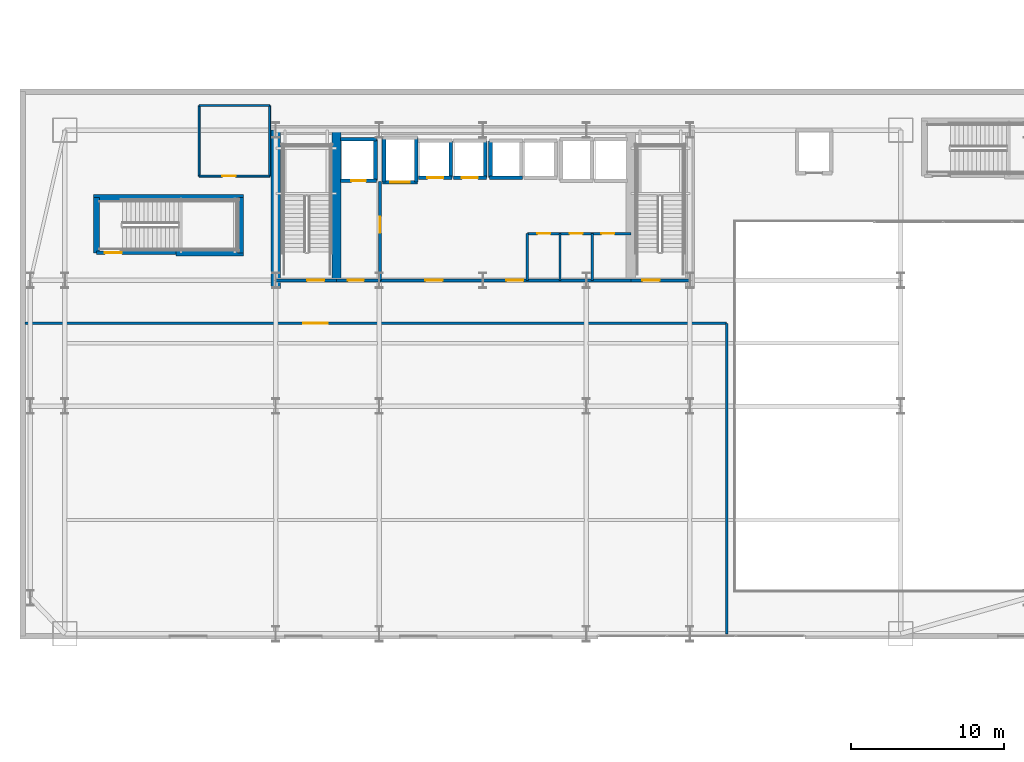
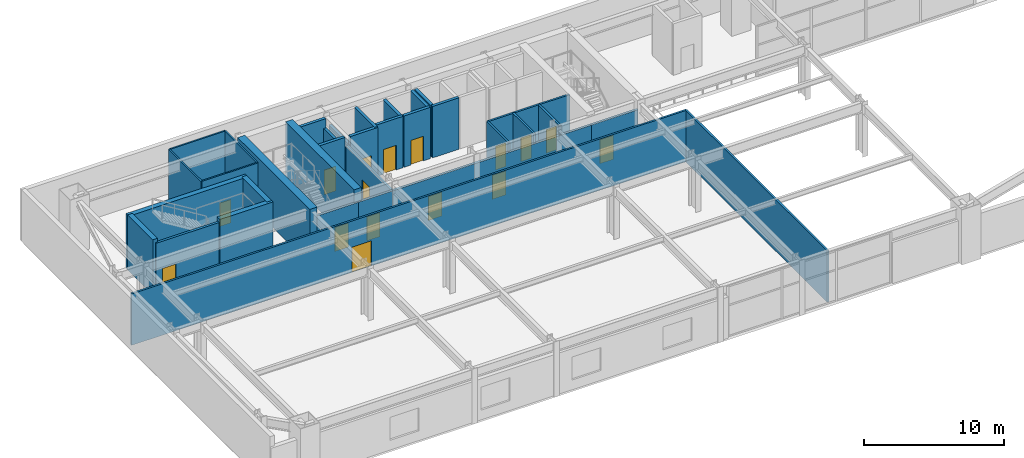
# One storey, part 17 of 30: 34 walls, 16 doors, 16 openings.
"""IFC4 building model written with IfcOpenShell, lengths in metres."""

from ifc_helpers import new_model, si_unit, direction, frame, frame_2d, origin, place, context, subcontext, project, spatial, rectangle, extrude, material, layer, layer_set, type_object, element, fill, save


model = new_model("IFC4")

# Units and contexts
model_context = context("Model", 3, precision=1e-05, world=origin(), true_north=direction((0.0, 1.0)))
body_context = subcontext(model_context, "Body", "Model", "MODEL_VIEW")
ifc_project = project(units=[si_unit("LENGTHUNIT", "METRE"), si_unit("AREAUNIT", "SQUARE_METRE"), si_unit("VOLUMEUNIT", "CUBIC_METRE"), si_unit("PLANEANGLEUNIT", "RADIAN"), si_unit("MASSUNIT", "GRAM", prefix="KILO")], contexts=[model_context])

# Site, building, storey
site_placement = place(None, origin())
site = spatial("IfcSite", under=ifc_project, at=site_placement, CompositionType="ELEMENT")
building_placement = place(site_placement, origin())
building = spatial("IfcBuilding", under=site, at=building_placement, Name="Haevon Station Towers", CompositionType="ELEMENT")
storey_placement = place(building_placement, frame((0.0, 0.0, 15.60009765625)))
storey = spatial("IfcBuildingStorey", under=building, at=storey_placement, Name="L03", CompositionType="ELEMENT", Elevation=15.60009765625)

# Wall, opening, door
ifc_material_1 = material(Name="Gypsum board on steel stud", Category="steel")
ifc_layer_1 = layer(ifc_material_1, 0.199951171875)
ifc_layer_set_1 = layer_set([ifc_layer_1], Name="Gypsum board on steel stud")
wall_type_1 = type_object("IfcWallType", Name="WL-COR200", PredefinedType="PARTITIONING", material=ifc_layer_set_1)
wall_1_placement = place(storey_placement, frame((24.0, 38.199951171875, 0.0), z_axis=(0.0, 0.0, 1.0), x_axis=(1.0, 0.0, 0.0)))
wall_1 = element("IfcWall", 1, at=wall_1_placement, inside=storey, type_object=wall_type_1, Name="WL-ST-ST1-L03", PredefinedType="PARTITIONING", context=body_context, shape_type="SweptSolid", body=[
    extrude(rectangle(XDim=3.949951171875, YDim=0.199951171875, at=frame_2d((1.97509765625, 0.0))), origin(), (0.0, 0.0, 1.0), 3.679931640625),
])
opening_1_placement = place(wall_1_placement, frame((2.050048828125, 0.0, 0.0)))
opening_1 = element("IfcOpeningElement", 2, at=opening_1_placement, cuts=wall_1, Name="Opening DR-ST-ST1-L03", PredefinedType="OPENING", context=body_context, shape_type="SweptSolid", body=[
    extrude(rectangle(XDim=1.1201171875, YDim=2.10009765625, at=frame_2d((0.56005859375, 1.050048828125))), frame((0.0, 0.10986328125, 0.0), z_axis=(0.0, -1.0, 0.0), x_axis=(1.0, 0.0, 0.0)), (0.0, 0.0, 1.0), 0.219970703125),
])
ifc_material_2 = material(Name="Engineered oak timber", Category="wood")
door_type_1 = type_object("IfcDoorType", Name="DR-ST-1120", OperationType="NOTDEFINED", PredefinedType="DOOR", material=ifc_material_2)
door_1_placement = place(opening_1_placement, origin())
door_1 = element("IfcDoor", 3, at=door_1_placement, inside=storey, type_object=door_type_1, Name="L03 Escape Stair ST1 Fire Door", OperationType="SINGLE_SWING_LEFT", OverallHeight=2.10009765625, OverallWidth=1.1201171875, PredefinedType="DOOR", context=body_context, shape_type="SweptSolid", body=[
    extrude(rectangle(XDim=1.1201171875, YDim=2.10009765625, at=frame_2d((0.56005859375, 1.050048828125))), frame((0.0, 0.02490234375, 0.0), z_axis=(0.0, -1.0, 0.0), x_axis=(1.0, 0.0, 0.0)), (0.0, 0.0, 1.0), 0.050048828125),
])
fill(opening_1, door_1)

wall_2_placement = place(storey_placement, frame((47.14990234375, 38.199951171875, 0.0), z_axis=(0.0, 0.0, 1.0), x_axis=(1.0, 0.0, 0.0)))
wall_2 = element("IfcWall", 4, at=wall_2_placement, inside=storey, type_object=wall_type_1, Name="WL-ST-ST2-L03", PredefinedType="PARTITIONING", context=body_context, shape_type="SweptSolid", body=[
    extrude(rectangle(XDim=3.85009765625, YDim=0.199951171875, at=frame_2d((1.925048828125, 0.0))), origin(), (0.0, 0.0, 1.0), 3.679931640625),
])
opening_2_placement = place(wall_2_placement, frame((0.75, 0.0, 0.0)))
opening_2 = element("IfcOpeningElement", 5, at=opening_2_placement, cuts=wall_2, Name="Opening DR-ST-ST2-L03", PredefinedType="OPENING", context=body_context, shape_type="SweptSolid", body=[
    extrude(rectangle(XDim=1.1201171875, YDim=2.10009765625, at=frame_2d((0.56005859375, 1.050048828125))), frame((0.0, 0.10986328125, 0.0), z_axis=(0.0, -1.0, 0.0), x_axis=(1.0, 0.0, 0.0)), (0.0, 0.0, 1.0), 0.219970703125),
])
door_2_placement = place(opening_2_placement, origin())
door_2 = element("IfcDoor", 6, at=door_2_placement, inside=storey, type_object=door_type_1, Name="L03 Escape Stair ST2 Fire Door", OperationType="SINGLE_SWING_RIGHT", OverallHeight=2.10009765625, OverallWidth=1.1201171875, PredefinedType="DOOR", context=body_context, shape_type="SweptSolid", body=[
    extrude(rectangle(XDim=1.1201171875, YDim=2.10009765625, at=frame_2d((0.56005859375, 1.050048828125))), frame((0.0, 0.02490234375, 0.0), z_axis=(0.0, -1.0, 0.0), x_axis=(1.0, 0.0, 0.0)), (0.0, 0.0, 1.0), 0.050048828125),
])
fill(opening_2, door_2)

wall_3_placement = place(storey_placement, frame((30.800048828125, 38.199951171875, 0.0), z_axis=(0.0, 0.0, 1.0), x_axis=(0.0, 1.0, 0.0)))
wall_3 = element("IfcWall", 7, at=wall_3_placement, inside=storey, type_object=wall_type_1, Name="WL-T1FFL-L03-E", PredefinedType="PARTITIONING", context=body_context, shape_type="SweptSolid", body=[
    extrude(rectangle(XDim=6.449951171875, YDim=0.199951171875, at=frame_2d((3.22509765625, 0.0))), origin(), (0.0, 0.0, 1.0), 3.679931640625),
])
opening_3_placement = place(wall_3_placement, frame((3.10009765625, 0.0, 0.0)))
opening_3 = element("IfcOpeningElement", 8, at=opening_3_placement, cuts=wall_3, Name="Opening DR-T1FFL-L03-E", PredefinedType="OPENING", context=body_context, shape_type="SweptSolid", body=[
    extrude(rectangle(XDim=1.050048828125, YDim=2.10009765625, at=frame_2d((0.52490234375, 1.050048828125))), frame((0.0, 0.10986328125, 0.0), z_axis=(0.0, -1.0, 0.0), x_axis=(1.0, 0.0, 0.0)), (0.0, 0.0, 1.0), 0.219970703125),
])
door_type_2 = type_object("IfcDoorType", Name="DR-FD60-1050", OperationType="NOTDEFINED", PredefinedType="DOOR", material=ifc_material_2)
door_3_placement = place(opening_3_placement, origin())
door_3 = element("IfcDoor", 9, at=door_3_placement, inside=storey, type_object=door_type_2, Name="L03 Tower 1 Firefighting Lift Lobby Door E", OperationType="SINGLE_SWING_LEFT", OverallHeight=2.10009765625, OverallWidth=1.050048828125, PredefinedType="DOOR", context=body_context, shape_type="SweptSolid", body=[
    extrude(rectangle(XDim=1.050048828125, YDim=2.10009765625, at=frame_2d((0.52490234375, 1.050048828125))), frame((0.0, 0.02490234375, 0.0), z_axis=(0.0, -1.0, 0.0), x_axis=(1.0, 0.0, 0.0)), (0.0, 0.0, 1.0), 0.050048828125),
])
fill(opening_3, door_3)

wall_4_placement = place(storey_placement, frame((27.949951171875, 38.199951171875, 0.0), z_axis=(0.0, 0.0, 1.0), x_axis=(1.0, 0.0, 0.0)))
wall_4 = element("IfcWall", 10, at=wall_4_placement, inside=storey, type_object=wall_type_1, Name="WL-T1FFL-L03-S", PredefinedType="PARTITIONING", context=body_context, shape_type="SweptSolid", body=[
    extrude(rectangle(XDim=2.85009765625, YDim=0.199951171875, at=frame_2d((1.425048828125, 0.0))), origin(), (0.0, 0.0, 1.0), 3.679931640625),
])
opening_4_placement = place(wall_4_placement, frame((0.75, 0.0, 0.0)))
opening_4 = element("IfcOpeningElement", 11, at=opening_4_placement, cuts=wall_4, Name="Opening DR-T1FFL-L03-S", PredefinedType="OPENING", context=body_context, shape_type="SweptSolid", body=[
    extrude(rectangle(XDim=1.050048828125, YDim=2.10009765625, at=frame_2d((0.52490234375, 1.050048828125))), frame((0.0, 0.10986328125, 0.0), z_axis=(0.0, -1.0, 0.0), x_axis=(1.0, 0.0, 0.0)), (0.0, 0.0, 1.0), 0.219970703125),
])
door_4_placement = place(opening_4_placement, origin())
door_4 = element("IfcDoor", 12, at=door_4_placement, inside=storey, type_object=door_type_2, Name="L03 Tower 1 Firefighting Lift Lobby Door S", OperationType="SINGLE_SWING_RIGHT", OverallHeight=2.10009765625, OverallWidth=1.050048828125, PredefinedType="DOOR", context=body_context, shape_type="SweptSolid", body=[
    extrude(rectangle(XDim=1.050048828125, YDim=2.10009765625, at=frame_2d((0.52490234375, 1.050048828125))), frame((0.0, 0.02490234375, 0.0), z_axis=(0.0, -1.0, 0.0), x_axis=(1.0, 0.0, 0.0)), (0.0, 0.0, 1.0), 0.050048828125),
])
fill(opening_4, door_4)

# Wall, openings, doors
wall_5_placement = place(storey_placement, frame((30.800048828125, 38.199951171875, 0.0), z_axis=(0.0, 0.0, 1.0), x_axis=(1.0, 0.0, 0.0)))
wall_5 = element("IfcWall", 13, at=wall_5_placement, inside=storey, type_object=wall_type_1, Name="WL-T1CLB-L03", PredefinedType="PARTITIONING", context=body_context, shape_type="SweptSolid", body=[
    extrude(rectangle(XDim=16.349853515625, YDim=0.199951171875, at=frame_2d((8.1748046875, 0.0))), origin(), (0.0, 0.0, 1.0), 3.679931640625),
])
opening_5_placement = place(wall_5_placement, frame((2.949951171875, 0.0, 0.0)))
opening_5 = element("IfcOpeningElement", 14, at=opening_5_placement, cuts=wall_5, Name="Opening DR-T1CLB-L03-1", PredefinedType="OPENING", context=body_context, shape_type="SweptSolid", body=[
    extrude(rectangle(XDim=1.1201171875, YDim=2.10009765625, at=frame_2d((0.56005859375, 1.050048828125))), frame((0.0, 0.10986328125, 0.0), z_axis=(0.0, -1.0, 0.0), x_axis=(1.0, 0.0, 0.0)), (0.0, 0.0, 1.0), 0.219970703125),
])
opening_6_placement = place(wall_5_placement, frame((8.22998046875, 0.0, 0.0)))
opening_6 = element("IfcOpeningElement", 15, at=opening_6_placement, cuts=wall_5, Name="Opening DR-T1CLB-L03-2", PredefinedType="OPENING", context=body_context, shape_type="SweptSolid", body=[
    extrude(rectangle(XDim=1.1201171875, YDim=2.10009765625, at=frame_2d((0.56005859375, 1.050048828125))), frame((0.0, 0.10986328125, 0.0), z_axis=(0.0, -1.0, 0.0), x_axis=(1.0, 0.0, 0.0)), (0.0, 0.0, 1.0), 0.219970703125),
])
door_5_placement = place(opening_5_placement, origin())
door_5 = element("IfcDoor", 16, at=door_5_placement, inside=storey, type_object=door_type_1, Name="L03 Tower 1 Core Lift Lobby Door 1", OperationType="SINGLE_SWING_LEFT", OverallHeight=2.10009765625, OverallWidth=1.1201171875, PredefinedType="DOOR", context=body_context, shape_type="SweptSolid", body=[
    extrude(rectangle(XDim=1.1201171875, YDim=2.10009765625, at=frame_2d((0.56005859375, 1.050048828125))), frame((0.0, 0.02490234375, 0.0), z_axis=(0.0, -1.0, 0.0), x_axis=(1.0, 0.0, 0.0)), (0.0, 0.0, 1.0), 0.050048828125),
])
fill(opening_5, door_5)
door_6_placement = place(opening_6_placement, origin())
door_6 = element("IfcDoor", 17, at=door_6_placement, inside=storey, type_object=door_type_1, Name="L03 Tower 1 Core Lift Lobby Door 2", OperationType="SINGLE_SWING_RIGHT", OverallHeight=2.10009765625, OverallWidth=1.1201171875, PredefinedType="DOOR", context=body_context, shape_type="SweptSolid", body=[
    extrude(rectangle(XDim=1.1201171875, YDim=2.10009765625, at=frame_2d((0.56005859375, 1.050048828125))), frame((0.0, 0.02490234375, 0.0), z_axis=(0.0, -1.0, 0.0), x_axis=(1.0, 0.0, 0.0)), (0.0, 0.0, 1.0), 0.050048828125),
])
fill(opening_6, door_6)

# Wall, opening, door
wall_6_placement = place(storey_placement, frame((12.300048828125, 40.0, 0.0), z_axis=(0.0, 0.0, 1.0), x_axis=(1.0, 0.0, 0.0)))
wall_6 = element("IfcWall", 18, at=wall_6_placement, inside=storey, type_object=wall_type_1, Name="WL-ST-ST5-L03-S", PredefinedType="PARTITIONING", context=body_context, shape_type="SweptSolid", body=[
    extrude(rectangle(XDim=5.199951171875, YDim=0.199951171875, at=frame_2d((2.60009765625, 0.0))), origin(), (0.0, 0.0, 1.0), 4.47998046875),
])
opening_7_placement = place(wall_6_placement, frame((0.550048828125, 0.0, 0.0)))
opening_7 = element("IfcOpeningElement", 19, at=opening_7_placement, cuts=wall_6, Name="Opening DR-ST-ST5-L03", PredefinedType="OPENING", context=body_context, shape_type="SweptSolid", body=[
    extrude(rectangle(XDim=1.1201171875, YDim=2.10009765625, at=frame_2d((0.56005859375, 1.050048828125))), frame((0.0, 0.10986328125, 0.0), z_axis=(0.0, -1.0, 0.0), x_axis=(1.0, 0.0, 0.0)), (0.0, 0.0, 1.0), 0.219970703125),
])
door_7_placement = place(opening_7_placement, origin())
door_7 = element("IfcDoor", 20, at=door_7_placement, inside=storey, type_object=door_type_1, Name="L03 Station Escape Stair ST5 Fire Door", OperationType="SINGLE_SWING_RIGHT", OverallHeight=2.10009765625, OverallWidth=1.1201171875, PredefinedType="DOOR", context=body_context, shape_type="SweptSolid", body=[
    extrude(rectangle(XDim=1.1201171875, YDim=2.10009765625, at=frame_2d((0.56005859375, 1.050048828125))), frame((0.0, 0.02490234375, 0.0), z_axis=(0.0, -1.0, 0.0), x_axis=(1.0, 0.0, 0.0)), (0.0, 0.0, 1.0), 0.050048828125),
])
fill(opening_7, door_7)

# Walls
ifc_material_3 = material(Name="Concrete C60/75", Category="concrete")
ifc_layer_2 = layer(ifc_material_3, 0.39990234375)
ifc_layer_set_2 = layer_set([ifc_layer_2], Name="Concrete C60/75")
wall_type_2 = type_object("IfcWallType", Name="WL-CR400", PredefinedType="SHEAR", material=ifc_layer_set_2)
wall_7_placement = place(storey_placement, frame((12.10009765625, 43.60009765625, 0.0), z_axis=(0.0, 0.0, 1.0), x_axis=(1.0, 0.0, 0.0)))
element("IfcWall", 21, at=wall_7_placement, inside=storey, type_object=wall_type_2, Name="WL-ST5CR-L03-N", PredefinedType="SHEAR", context=body_context, shape_type="SweptSolid", body=[
    extrude(rectangle(XDim=9.7998046875, YDim=0.39990234375, at=frame_2d((4.89990234375, 0.0))), origin(), (0.0, 0.0, 1.0), 4.7998046875),
])
for number, where, z_axis, x_axis, name in (
    (22, (12.300048828125, 40.0, 0.0), (0.0, 0.0, 1.0), (0.0, 1.0, 0.0), "WL-ST5CR-L03-W"),
    (23, (21.699951171875, 40.0, 0.0), (0.0, 0.0, 1.0), (0.0, 1.0, 0.0), "WL-ST5CR-L03-E"),
):
    element("IfcWall", number, at=place(storey_placement, frame(where, z_axis=z_axis, x_axis=x_axis)), inside=storey, type_object=wall_type_2, Name=name, PredefinedType="SHEAR", context=body_context, shape_type="SweptSolid", body=[
        extrude(rectangle(XDim=3.60009765625, YDim=0.39990234375, at=frame_2d((1.800048828125, 0.0))), origin(), (0.0, 0.0, 1.0), 4.7998046875),
    ])
wall_8_placement = place(storey_placement, frame((17.5, 40.0, 0.0), z_axis=(0.0, 0.0, 1.0), x_axis=(1.0, 0.0, 0.0)))
element("IfcWall", 24, at=wall_8_placement, inside=storey, type_object=wall_type_2, Name="WL-ST5CR-L03-S2", PredefinedType="SHEAR", context=body_context, shape_type="SweptSolid", body=[
    extrude(rectangle(XDim=4.39990234375, YDim=0.39990234375, at=frame_2d((2.199951171875, 0.0))), origin(), (0.0, 0.0, 1.0), 4.7998046875),
])
ifc_layer_3 = layer(ifc_material_3, 0.60009765625)
ifc_layer_set_3 = layer_set([ifc_layer_3], Name="Concrete C60/75")
wall_type_3 = type_object("IfcWallType", Name="WL-CR600", PredefinedType="SHEAR", material=ifc_layer_set_3)
wall_9_placement = place(storey_placement, frame((24.0, 37.679931640625, 0.0), z_axis=(0.0, 0.0, 1.0), x_axis=(0.0, 1.0, 0.0)))
element("IfcWall", 25, at=wall_9_placement, inside=storey, type_object=wall_type_3, Name="WL-T1CR-L03-W", PredefinedType="SHEAR", context=body_context, shape_type="SweptSolid", body=[
    extrude(rectangle(XDim=10.320068359375, YDim=0.60009765625, at=frame_2d((5.16015625, 0.0))), origin(), (0.0, 0.0, 1.0), 4.7998046875),
])
wall_10_placement = place(storey_placement, frame((27.949951171875, 38.199951171875, 0.0), z_axis=(0.0, 0.0, 1.0), x_axis=(0.0, 1.0, 0.0)))
element("IfcWall", 26, at=wall_10_placement, inside=storey, type_object=wall_type_3, Name="WL-T1CR-L03-M1", PredefinedType="SHEAR", context=body_context, shape_type="SweptSolid", body=[
    extrude(rectangle(XDim=9.800048828125, YDim=0.60009765625, at=frame_2d((4.89990234375, 0.0))), origin(), (0.0, 0.0, 1.0), 4.7998046875),
])

# Wall, opening, door
ifc_layer_4 = layer(ifc_material_1, 0.125)
ifc_layer_set_4 = layer_set([ifc_layer_4], Name="Gypsum board on steel stud")
wall_type_4 = type_object("IfcWallType", Name="WL-PRT125", PredefinedType="PARTITIONING", material=ifc_layer_set_4)
wall_11_placement = place(storey_placement, frame((19.0, 45.0, 0.0), z_axis=(0.0, 0.0, 1.0), x_axis=(1.0, 0.0, 0.0)))
wall_11 = element("IfcWall", 27, at=wall_11_placement, inside=storey, type_object=wall_type_4, Name="WL-L03-WCS", PredefinedType="PARTITIONING", context=body_context, shape_type="SweptSolid", body=[
    extrude(rectangle(XDim=4.60009765625, YDim=0.125, at=frame_2d((2.300048828125, 0.0))), origin(), (0.0, 0.0, 1.0), 4.47998046875),
])
opening_8_placement = place(wall_11_placement, frame((1.5, 0.0, 0.0)))
opening_8 = element("IfcOpeningElement", 28, at=opening_8_placement, cuts=wall_11, Name="Opening DR-WL-L03-WCS-1", PredefinedType="OPENING", context=body_context, shape_type="SweptSolid", body=[
    extrude(rectangle(XDim=0.89990234375, YDim=2.050048828125, at=frame_2d((0.449951171875, 1.02490234375))), frame((0.0, 0.072509765625, 0.0), z_axis=(0.0, -1.0, 0.0), x_axis=(1.0, 0.0, 0.0)), (0.0, 0.0, 1.0), 0.14501953125),
])
door_type_3 = type_object("IfcDoorType", Name="DR-INT-900", OperationType="NOTDEFINED", PredefinedType="DOOR", material=ifc_material_2)
door_8_placement = place(opening_8_placement, origin())
door_8 = element("IfcDoor", 29, at=door_8_placement, inside=storey, type_object=door_type_3, Name="L03 Interior Door WL-L03-WCS-1", OperationType="SINGLE_SWING_RIGHT", OverallHeight=2.050048828125, OverallWidth=0.89990234375, PredefinedType="DOOR", context=body_context, shape_type="SweptSolid", body=[
    extrude(rectangle(XDim=0.89990234375, YDim=2.050048828125, at=frame_2d((0.449951171875, 1.02490234375))), frame((0.0, 0.02490234375, 0.0), z_axis=(0.0, -1.0, 0.0), x_axis=(1.0, 0.0, 0.0)), (0.0, 0.0, 1.0), 0.050048828125),
])
fill(opening_8, door_8)

# Walls
for number, where, z_axis, x_axis, name in (
    (30, (19.0, 49.60009765625, 0.0), (0.0, 0.0, 1.0), (1.0, 0.0, 0.0), "WL-L03-WCN"),
    (31, (19.0, 45.0, 0.0), (0.0, 0.0, 1.0), (0.0, 1.0, 0.0), "WL-L03-WCW"),
    (32, (23.60009765625, 45.0, 0.0), (0.0, 0.0, 1.0), (0.0, 1.0, 0.0), "WL-L03-WCE"),
):
    element("IfcWall", number, at=place(storey_placement, frame(where, z_axis=z_axis, x_axis=x_axis)), inside=storey, type_object=wall_type_4, Name=name, PredefinedType="PARTITIONING", context=body_context, shape_type="SweptSolid", body=[
        extrude(rectangle(XDim=4.60009765625, YDim=0.125, at=frame_2d((2.300048828125, 0.0))), origin(), (0.0, 0.0, 1.0), 4.47998046875),
    ])
ifc_layer_5 = layer(ifc_material_1, 0.159912109375)
ifc_layer_set_5 = layer_set([ifc_layer_5], Name="Gypsum board on steel stud")
wall_type_5 = type_object("IfcWallType", Name="WL-PRT160", PredefinedType="PARTITIONING", material=ifc_layer_set_5)
wall_12_placement = place(storey_placement, frame((53.39990234375, 15.14990234375, 0.0), z_axis=(0.0, 0.0, 1.0), x_axis=(0.0, 1.0, 0.0)))
element("IfcWall", 33, at=wall_12_placement, inside=storey, type_object=wall_type_5, Name="WL-L03-WEST", PredefinedType="PARTITIONING", context=body_context, shape_type="SweptSolid", body=[
    extrude(rectangle(XDim=20.25, YDim=0.159912109375, at=frame_2d((10.125, 0.0))), origin(), (0.0, 0.0, 1.0), 4.47998046875),
])

# Wall, opening, door
wall_13_placement = place(storey_placement, frame((7.64990234375, 35.39990234375, 0.0), z_axis=(0.0, 0.0, 1.0), x_axis=(1.0, 0.0, 0.0)))
wall_13 = element("IfcWall", 34, at=wall_13_placement, inside=storey, type_object=wall_type_5, Name="WL-L03-WESTN", PredefinedType="PARTITIONING", context=body_context, shape_type="SweptSolid", body=[
    extrude(rectangle(XDim=45.75, YDim=0.159912109375, at=frame_2d((22.875, 0.0))), origin(), (0.0, 0.0, 1.0), 4.47998046875),
])
opening_9_placement = place(wall_13_placement, frame((18.14990234375, 0.0, 0.0)))
opening_9 = element("IfcOpeningElement", 35, at=opening_9_placement, cuts=wall_13, Name="Opening DR-WL-L03-WESTN-1", PredefinedType="OPENING", context=body_context, shape_type="SweptSolid", body=[
    extrude(rectangle(XDim=1.60009765625, YDim=2.199951171875, at=frame_2d((0.800048828125, 1.10009765625))), frame((0.0, 0.08984375, 0.0), z_axis=(0.0, -1.0, 0.0), x_axis=(1.0, 0.0, 0.0)), (0.0, 0.0, 1.0), 0.179931640625),
])
door_type_4 = type_object("IfcDoorType", Name="DR-POD-1600", OperationType="NOTDEFINED", PredefinedType="DOOR", material=ifc_material_2)
door_9_placement = place(opening_9_placement, origin())
door_9 = element("IfcDoor", 36, at=door_9_placement, inside=storey, type_object=door_type_4, Name="L03 Interior Door WL-L03-WESTN-1", OperationType="DOUBLE_DOOR_SINGLE_SWING", OverallHeight=2.199951171875, OverallWidth=1.60009765625, PredefinedType="DOOR", context=body_context, shape_type="SweptSolid", body=[
    extrude(rectangle(XDim=1.60009765625, YDim=2.199951171875, at=frame_2d((0.800048828125, 1.10009765625))), frame((0.0, 0.02490234375, 0.0), z_axis=(0.0, -1.0, 0.0), x_axis=(1.0, 0.0, 0.0)), (0.0, 0.0, 1.0), 0.050048828125),
])
fill(opening_9, door_9)

# Walls
for number, where, z_axis, x_axis, name in (
    (37, (40.39990234375, 38.199951171875, 0.0), (0.0, 0.0, 1.0), (0.0, 1.0, 0.0), "WL-T1CW-L03-01"),
    (38, (42.530029296875, 38.199951171875, 0.0), (0.0, 0.0, 1.0), (0.0, 1.0, 0.0), "WL-T1CW-L03-02"),
    (39, (44.6298828125, 38.199951171875, 0.0), (0.0, 0.0, 1.0), (0.0, 1.0, 0.0), "WL-T1CW-L03-03"),
):
    element("IfcWall", number, at=place(storey_placement, frame(where, z_axis=z_axis, x_axis=x_axis)), inside=storey, type_object=wall_type_5, Name=name, PredefinedType="PARTITIONING", context=body_context, shape_type="SweptSolid", body=[
        extrude(rectangle(XDim=3.050048828125, YDim=0.159912109375, at=frame_2d((1.52490234375, 0.0))), origin(), (0.0, 0.0, 1.0), 4.47998046875),
    ])

# Wall, openings, doors
wall_14_placement = place(storey_placement, frame((40.39990234375, 41.25, 0.0), z_axis=(0.0, 0.0, 1.0), x_axis=(1.0, 0.0, 0.0)))
wall_14 = element("IfcWall", 40, at=wall_14_placement, inside=storey, type_object=wall_type_5, Name="WL-T1CW-L03-04", PredefinedType="PARTITIONING", context=body_context, shape_type="SweptSolid", body=[
    extrude(rectangle(XDim=6.75, YDim=0.159912109375, at=frame_2d((3.375, 0.0))), origin(), (0.0, 0.0, 1.0), 4.47998046875),
])
opening_10_placement = place(wall_14_placement, frame((0.659912109375, 0.0, 0.0)))
opening_10 = element("IfcOpeningElement", 41, at=opening_10_placement, cuts=wall_14, Name="Opening DR-WL-T1CW-L03-04-1", PredefinedType="OPENING", context=body_context, shape_type="SweptSolid", body=[
    extrude(rectangle(XDim=0.85009765625, YDim=2.050048828125, at=frame_2d((0.425048828125, 1.02490234375))), frame((0.0, 0.08984375, 0.0), z_axis=(0.0, -1.0, 0.0), x_axis=(1.0, 0.0, 0.0)), (0.0, 0.0, 1.0), 0.179931640625),
])
opening_11_placement = place(wall_14_placement, frame((2.7548828125, 0.0, 0.0)))
opening_11 = element("IfcOpeningElement", 42, at=opening_11_placement, cuts=wall_14, Name="Opening DR-WL-T1CW-L03-04-2", PredefinedType="OPENING", context=body_context, shape_type="SweptSolid", body=[
    extrude(rectangle(XDim=0.85009765625, YDim=2.050048828125, at=frame_2d((0.425048828125, 1.02490234375))), frame((0.0, 0.08984375, 0.0), z_axis=(0.0, -1.0, 0.0), x_axis=(1.0, 0.0, 0.0)), (0.0, 0.0, 1.0), 0.179931640625),
])
opening_12_placement = place(wall_14_placement, frame((4.830078125, 0.0, 0.0)))
opening_12 = element("IfcOpeningElement", 43, at=opening_12_placement, cuts=wall_14, Name="Opening DR-WL-T1CW-L03-04-3", PredefinedType="OPENING", context=body_context, shape_type="SweptSolid", body=[
    extrude(rectangle(XDim=0.85009765625, YDim=2.050048828125, at=frame_2d((0.425048828125, 1.02490234375))), frame((0.0, 0.08984375, 0.0), z_axis=(0.0, -1.0, 0.0), x_axis=(1.0, 0.0, 0.0)), (0.0, 0.0, 1.0), 0.179931640625),
])
door_type_5 = type_object("IfcDoorType", Name="DR-FD30-850", OperationType="NOTDEFINED", PredefinedType="DOOR", material=ifc_material_2)
door_10_placement = place(opening_10_placement, origin())
door_10 = element("IfcDoor", 44, at=door_10_placement, inside=storey, type_object=door_type_5, Name="L03 Tower 1 Core Room Door 4-1", OperationType="SINGLE_SWING_LEFT", OverallHeight=2.050048828125, OverallWidth=0.85009765625, PredefinedType="DOOR", context=body_context, shape_type="SweptSolid", body=[
    extrude(rectangle(XDim=0.85009765625, YDim=2.050048828125, at=frame_2d((0.425048828125, 1.02490234375))), frame((0.0, 0.02490234375, 0.0), z_axis=(0.0, -1.0, 0.0), x_axis=(1.0, 0.0, 0.0)), (0.0, 0.0, 1.0), 0.050048828125),
])
fill(opening_10, door_10)
door_11_placement = place(opening_11_placement, origin())
door_11 = element("IfcDoor", 45, at=door_11_placement, inside=storey, type_object=door_type_5, Name="L03 Tower 1 Core Room Door 4-2", OperationType="SINGLE_SWING_RIGHT", OverallHeight=2.050048828125, OverallWidth=0.85009765625, PredefinedType="DOOR", context=body_context, shape_type="SweptSolid", body=[
    extrude(rectangle(XDim=0.85009765625, YDim=2.050048828125, at=frame_2d((0.425048828125, 1.02490234375))), frame((0.0, 0.02490234375, 0.0), z_axis=(0.0, -1.0, 0.0), x_axis=(1.0, 0.0, 0.0)), (0.0, 0.0, 1.0), 0.050048828125),
])
fill(opening_11, door_11)
door_12_placement = place(opening_12_placement, origin())
door_12 = element("IfcDoor", 46, at=door_12_placement, inside=storey, type_object=door_type_5, Name="L03 Tower 1 Core Room Door 4-3", OperationType="SINGLE_SWING_LEFT", OverallHeight=2.050048828125, OverallWidth=0.85009765625, PredefinedType="DOOR", context=body_context, shape_type="SweptSolid", body=[
    extrude(rectangle(XDim=0.85009765625, YDim=2.050048828125, at=frame_2d((0.425048828125, 1.02490234375))), frame((0.0, 0.02490234375, 0.0), z_axis=(0.0, -1.0, 0.0), x_axis=(1.0, 0.0, 0.0)), (0.0, 0.0, 1.0), 0.050048828125),
])
fill(opening_12, door_12)

# Wall, opening, door
ifc_material_4 = material(Name="Concrete C40/50", Category="concrete")
ifc_layer_6 = layer(ifc_material_4, 0.239990234375)
ifc_layer_set_6 = layer_set([ifc_layer_6], Name="Concrete C40/50")
wall_type_6 = type_object("IfcWallType", Name="WL-SHF240", PredefinedType="PARTITIONING", material=ifc_layer_set_6)
wall_15_placement = place(storey_placement, frame((28.219970703125, 44.699951171875, 0.0), z_axis=(0.0, 0.0, 1.0), x_axis=(1.0, 0.0, 0.0)))
wall_15 = element("IfcWall", 47, at=wall_15_placement, inside=storey, type_object=wall_type_6, Name="WL-SHF-FL1-L03", PredefinedType="PARTITIONING", context=body_context, shape_type="SweptSolid", body=[
    extrude(rectangle(XDim=2.360107421875, YDim=0.239990234375, at=frame_2d((1.18017578125, 0.0))), origin(), (0.0, 0.0, 1.0), 4.47998046875),
])
opening_13_placement = place(wall_15_placement, frame((0.705078125, 0.0, 0.0)))
opening_13 = element("IfcOpeningElement", 48, at=opening_13_placement, cuts=wall_15, Name="Opening LD-FL1-L03", PredefinedType="OPENING", context=body_context, shape_type="SweptSolid", body=[
    extrude(rectangle(XDim=0.949951171875, YDim=2.14990234375, at=frame_2d((0.47509765625, 1.074951171875))), frame((0.0, 0.1298828125, 0.0), z_axis=(0.0, -1.0, 0.0), x_axis=(1.0, 0.0, 0.0)), (0.0, 0.0, 1.0), 0.260009765625),
])
ifc_material_5 = material(Name="Stainless steel and rated core", Category="steel")
door_type_6 = type_object("IfcDoorType", Name="LD-FL950", OperationType="SLIDING_TO_LEFT", PredefinedType="DOOR", material=ifc_material_5)
door_13_placement = place(opening_13_placement, origin())
door_13 = element("IfcDoor", 49, at=door_13_placement, inside=storey, type_object=door_type_6, Name="L03 Lift FL1 Sliding Landing Door", OperationType="SLIDING_TO_LEFT", OverallHeight=2.14990234375, OverallWidth=0.949951171875, PredefinedType="DOOR", context=body_context, shape_type="SweptSolid", body=[
    extrude(rectangle(XDim=0.949951171875, YDim=2.14990234375, at=frame_2d((0.47509765625, 1.074951171875))), frame((0.0, 0.02490234375, 0.0), z_axis=(0.0, -1.0, 0.0), x_axis=(1.0, 0.0, 0.0)), (0.0, 0.0, 1.0), 0.050048828125),
])
fill(opening_13, door_13)

# Walls
wall_16_placement = place(storey_placement, frame((28.219970703125, 47.39990234375, 0.0), z_axis=(0.0, 0.0, 1.0), x_axis=(1.0, 0.0, 0.0)))
element("IfcWall", 50, at=wall_16_placement, inside=storey, type_object=wall_type_6, Name="WL-SHF-FL1-L03-N", PredefinedType="PARTITIONING", context=body_context, shape_type="SweptSolid", body=[
    extrude(rectangle(XDim=2.360107421875, YDim=0.239990234375, at=frame_2d((1.18017578125, 0.0))), origin(), (0.0, 0.0, 1.0), 4.47998046875),
])
wall_17_placement = place(storey_placement, frame((30.5, 44.699951171875, 0.0), z_axis=(0.0, 0.0, 1.0), x_axis=(0.0, 1.0, 0.0)))
element("IfcWall", 51, at=wall_17_placement, inside=storey, type_object=wall_type_6, Name="WL-SHF-FL1-L03-E", PredefinedType="PARTITIONING", context=body_context, shape_type="SweptSolid", body=[
    extrude(rectangle(XDim=2.699951171875, YDim=0.239990234375, at=frame_2d((1.35009765625, 0.0))), origin(), (0.0, 0.0, 1.0), 3.679931640625),
])

# Wall, opening, door
wall_18_placement = place(storey_placement, frame((30.969970703125, 44.60009765625, 0.0), z_axis=(0.0, 0.0, 1.0), x_axis=(1.0, 0.0, 0.0)))
wall_18 = element("IfcWall", 52, at=wall_18_placement, inside=storey, type_object=wall_type_6, Name="WL-SHF-SL1-L03", PredefinedType="PARTITIONING", context=body_context, shape_type="SweptSolid", body=[
    extrude(rectangle(XDim=2.260009765625, YDim=0.239990234375, at=frame_2d((1.1298828125, 0.0))), origin(), (0.0, 0.0, 1.0), 4.47998046875),
])
opening_14_placement = place(wall_18_placement, frame((0.5048828125, 0.0, 0.0)))
opening_14 = element("IfcOpeningElement", 53, at=opening_14_placement, cuts=wall_18, Name="Opening LD-SL1-L03", PredefinedType="OPENING", context=body_context, shape_type="SweptSolid", body=[
    extrude(rectangle(XDim=1.25, YDim=2.199951171875, at=frame_2d((0.625, 1.10009765625))), frame((0.0, 0.1298828125, 0.0), z_axis=(0.0, -1.0, 0.0), x_axis=(1.0, 0.0, 0.0)), (0.0, 0.0, 1.0), 0.260009765625),
])
door_type_7 = type_object("IfcDoorType", Name="LD-SL1250", OperationType="SLIDING_TO_LEFT", PredefinedType="DOOR", material=ifc_material_5)
door_14_placement = place(opening_14_placement, origin())
door_14 = element("IfcDoor", 54, at=door_14_placement, inside=storey, type_object=door_type_7, Name="L03 Lift SL1 Sliding Landing Door", OperationType="SLIDING_TO_LEFT", OverallHeight=2.199951171875, OverallWidth=1.25, PredefinedType="DOOR", context=body_context, shape_type="SweptSolid", body=[
    extrude(rectangle(XDim=1.25, YDim=2.199951171875, at=frame_2d((0.625, 1.10009765625))), frame((0.0, 0.02490234375, 0.0), z_axis=(0.0, -1.0, 0.0), x_axis=(1.0, 0.0, 0.0)), (0.0, 0.0, 1.0), 0.050048828125),
])
fill(opening_14, door_14)

# Walls
wall_19_placement = place(storey_placement, frame((31.050048828125, 44.60009765625, 0.0), z_axis=(0.0, 0.0, 1.0), x_axis=(0.0, 1.0, 0.0)))
element("IfcWall", 55, at=wall_19_placement, inside=storey, type_object=wall_type_6, Name="WL-SHF-SL1-L03-W", PredefinedType="PARTITIONING", context=body_context, shape_type="SweptSolid", body=[
    extrude(rectangle(XDim=2.89990234375, YDim=0.239990234375, at=frame_2d((1.449951171875, 0.0))), origin(), (0.0, 0.0, 1.0), 3.679931640625),
])
wall_20_placement = place(storey_placement, frame((33.14990234375, 44.60009765625, 0.0), z_axis=(0.0, 0.0, 1.0), x_axis=(0.0, 1.0, 0.0)))
element("IfcWall", 56, at=wall_20_placement, inside=storey, type_object=wall_type_6, Name="WL-SHF-SL1-L03-E", PredefinedType="PARTITIONING", context=body_context, shape_type="SweptSolid", body=[
    extrude(rectangle(XDim=2.89990234375, YDim=0.239990234375, at=frame_2d((1.449951171875, 0.0))), origin(), (0.0, 0.0, 1.0), 4.47998046875),
])

# Wall, opening, door
wall_21_placement = place(storey_placement, frame((33.320068359375, 44.89990234375, 0.0), z_axis=(0.0, 0.0, 1.0), x_axis=(1.0, 0.0, 0.0)))
wall_21 = element("IfcWall", 57, at=wall_21_placement, inside=storey, type_object=wall_type_6, Name="WL-SHF-PL1-L03", PredefinedType="PARTITIONING", context=body_context, shape_type="SweptSolid", body=[
    extrude(rectangle(XDim=2.159912109375, YDim=0.239990234375, at=frame_2d((1.080078125, 0.0))), origin(), (0.0, 0.0, 1.0), 4.47998046875),
])
opening_15_placement = place(wall_21_placement, frame((0.554931640625, 0.0, 0.0)))
opening_15 = element("IfcOpeningElement", 58, at=opening_15_placement, cuts=wall_21, Name="Opening LD-PL1-L03", PredefinedType="OPENING", context=body_context, shape_type="SweptSolid", body=[
    extrude(rectangle(XDim=1.050048828125, YDim=2.14990234375, at=frame_2d((0.52490234375, 1.074951171875))), frame((0.0, 0.1298828125, 0.0), z_axis=(0.0, -1.0, 0.0), x_axis=(1.0, 0.0, 0.0)), (0.0, 0.0, 1.0), 0.260009765625),
])
door_type_8 = type_object("IfcDoorType", Name="LD-PL1050", OperationType="SLIDING_TO_LEFT", PredefinedType="DOOR", material=ifc_material_5)
door_15_placement = place(opening_15_placement, origin())
door_15 = element("IfcDoor", 59, at=door_15_placement, inside=storey, type_object=door_type_8, Name="L03 Lift PL1 Sliding Landing Door", OperationType="SLIDING_TO_LEFT", OverallHeight=2.14990234375, OverallWidth=1.050048828125, PredefinedType="DOOR", context=body_context, shape_type="SweptSolid", body=[
    extrude(rectangle(XDim=1.050048828125, YDim=2.14990234375, at=frame_2d((0.52490234375, 1.074951171875))), frame((0.0, 0.02490234375, 0.0), z_axis=(0.0, -1.0, 0.0), x_axis=(1.0, 0.0, 0.0)), (0.0, 0.0, 1.0), 0.050048828125),
])
fill(opening_15, door_15)

# Wall
wall_22_placement = place(storey_placement, frame((35.39990234375, 44.89990234375, 0.0), z_axis=(0.0, 0.0, 1.0), x_axis=(0.0, 1.0, 0.0)))
element("IfcWall", 60, at=wall_22_placement, inside=storey, type_object=wall_type_6, Name="WL-SHF-PL1-L03-E", PredefinedType="PARTITIONING", context=body_context, shape_type="SweptSolid", body=[
    extrude(rectangle(XDim=2.400146484375, YDim=0.239990234375, at=frame_2d((1.2001953125, 0.0))), origin(), (0.0, 0.0, 1.0), 4.47998046875),
])

# Wall, opening, door
wall_23_placement = place(storey_placement, frame((35.570068359375, 44.89990234375, 0.0), z_axis=(0.0, 0.0, 1.0), x_axis=(1.0, 0.0, 0.0)))
wall_23 = element("IfcWall", 61, at=wall_23_placement, inside=storey, type_object=wall_type_6, Name="WL-SHF-PL2-L03", PredefinedType="PARTITIONING", context=body_context, shape_type="SweptSolid", body=[
    extrude(rectangle(XDim=2.159912109375, YDim=0.239990234375, at=frame_2d((1.080078125, 0.0))), origin(), (0.0, 0.0, 1.0), 4.47998046875),
])
opening_16_placement = place(wall_23_placement, frame((0.554931640625, 0.0, 0.0)))
opening_16 = element("IfcOpeningElement", 62, at=opening_16_placement, cuts=wall_23, Name="Opening LD-PL2-L03", PredefinedType="OPENING", context=body_context, shape_type="SweptSolid", body=[
    extrude(rectangle(XDim=1.050048828125, YDim=2.14990234375, at=frame_2d((0.52490234375, 1.074951171875))), frame((0.0, 0.1298828125, 0.0), z_axis=(0.0, -1.0, 0.0), x_axis=(1.0, 0.0, 0.0)), (0.0, 0.0, 1.0), 0.260009765625),
])
door_16_placement = place(opening_16_placement, origin())
door_16 = element("IfcDoor", 63, at=door_16_placement, inside=storey, type_object=door_type_8, Name="L03 Lift PL2 Sliding Landing Door", OperationType="SLIDING_TO_LEFT", OverallHeight=2.14990234375, OverallWidth=1.050048828125, PredefinedType="DOOR", context=body_context, shape_type="SweptSolid", body=[
    extrude(rectangle(XDim=1.050048828125, YDim=2.14990234375, at=frame_2d((0.52490234375, 1.074951171875))), frame((0.0, 0.02490234375, 0.0), z_axis=(0.0, -1.0, 0.0), x_axis=(1.0, 0.0, 0.0)), (0.0, 0.0, 1.0), 0.050048828125),
])
fill(opening_16, door_16)

# Walls
wall_24_placement = place(storey_placement, frame((37.64990234375, 44.89990234375, 0.0), z_axis=(0.0, 0.0, 1.0), x_axis=(0.0, 1.0, 0.0)))
element("IfcWall", 64, at=wall_24_placement, inside=storey, type_object=wall_type_6, Name="WL-SHF-PL2-L03-E", PredefinedType="PARTITIONING", context=body_context, shape_type="SweptSolid", body=[
    extrude(rectangle(XDim=2.400146484375, YDim=0.239990234375, at=frame_2d((1.2001953125, 0.0))), origin(), (0.0, 0.0, 1.0), 4.47998046875),
])
wall_25_placement = place(storey_placement, frame((37.919921875, 44.89990234375, 0.0), z_axis=(0.0, 0.0, 1.0), x_axis=(1.0, 0.0, 0.0)))
element("IfcWall", 65, at=wall_25_placement, inside=storey, type_object=wall_type_6, Name="WL-SHF-PL3-L03", PredefinedType="PARTITIONING", context=body_context, shape_type="SweptSolid", body=[
    extrude(rectangle(XDim=2.16015625, YDim=0.239990234375, at=frame_2d((1.080078125, 0.0))), origin(), (0.0, 0.0, 1.0), 4.47998046875),
])
wall_26_placement = place(storey_placement, frame((38.0, 44.89990234375, 0.0), z_axis=(0.0, 0.0, 1.0), x_axis=(0.0, 1.0, 0.0)))
element("IfcWall", 66, at=wall_26_placement, inside=storey, type_object=wall_type_6, Name="WL-SHF-PL3-L03-W", PredefinedType="PARTITIONING", context=body_context, shape_type="SweptSolid", body=[
    extrude(rectangle(XDim=2.400146484375, YDim=0.239990234375, at=frame_2d((1.2001953125, 0.0))), origin(), (0.0, 0.0, 1.0), 4.47998046875),
])

save(model, "model.ifc")
